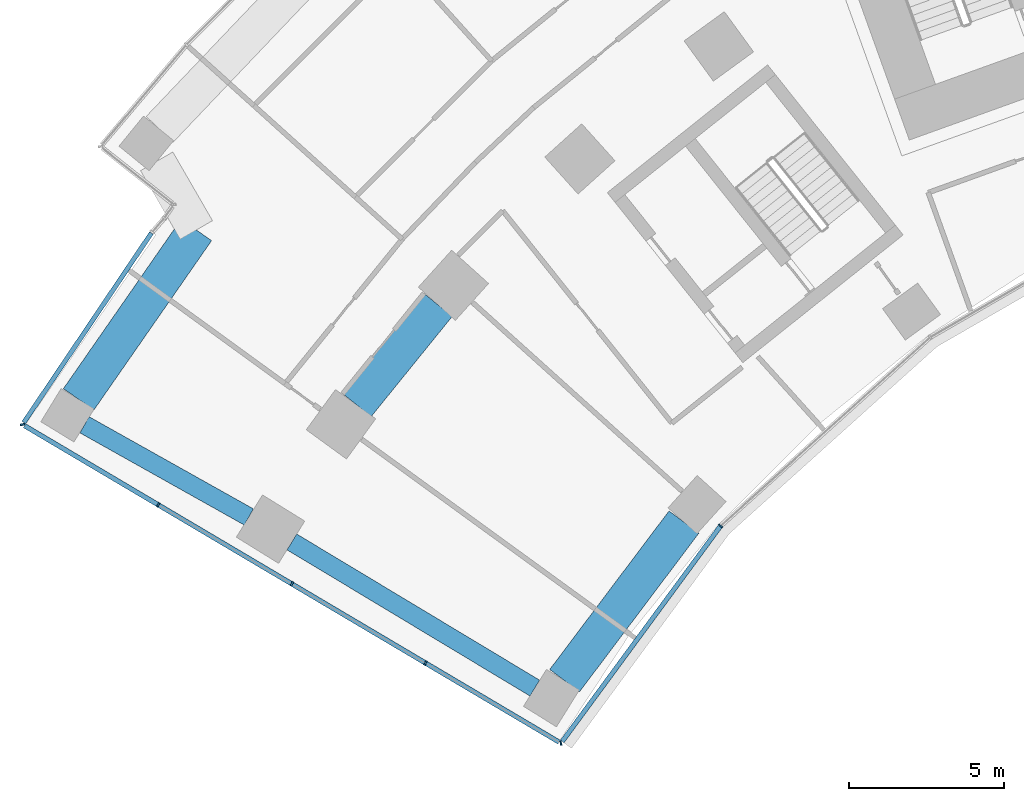
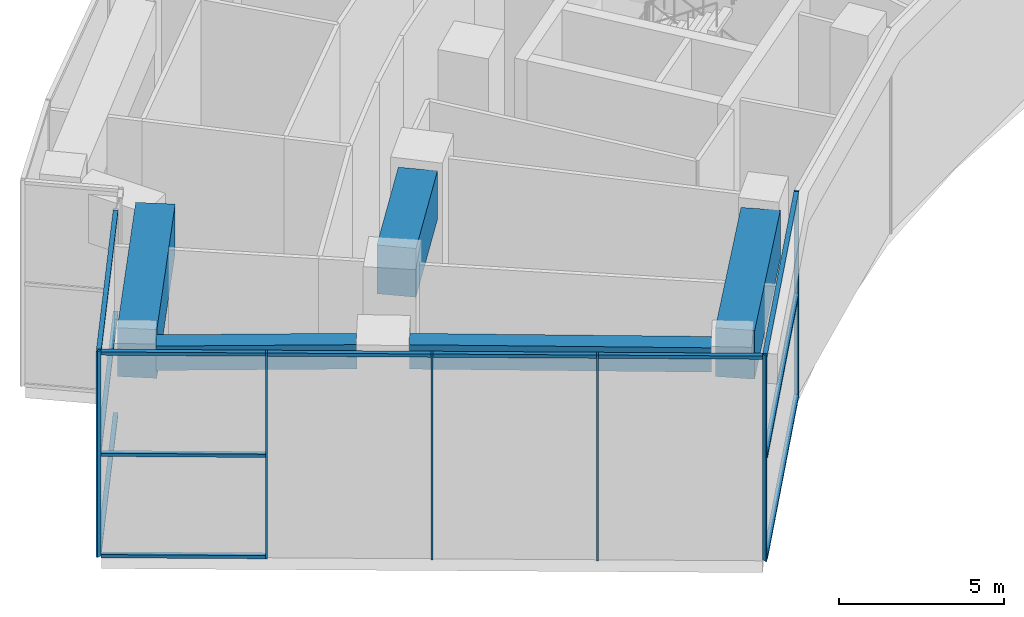
# One storey, part 2 of 33: 18 members, 5 beams, 3 elements without a shape of their own.
"""IFC4 building model written with IfcOpenShell, lengths in metres."""

import ifcopenshell
import ifcopenshell.guid

model = None  # the IFC model being written
_history = None  # IfcOwnerHistory: only IFC2X3 demands one
_inside = {}  # id of a spatial element -> (the spatial element, [elements in it])
_under = {}  # id of a project, library or spatial element -> (it, [spatial elements below it])
_declared = {}  # id of a project -> (the project, [libraries it declares])
_typed = {}  # id of a type object -> (the type object, [elements of that type])
_made_of = {}  # id of a material, layer set ... -> (it, [elements and type objects made of it])


def new_model(schema):
    """Start an empty IFC model of exactly this schema.

    Asked for "IFC4X3", IfcOpenShell would pick the latest addendum, in which some entities
    have other attributes; the version numbers below select the first issue.
    IFC2X3 requires an IfcOwnerHistory on every rooted entity: one is made here for all.
    """
    global model, _history
    if schema == "IFC4X3":
        model = ifcopenshell.file(schema_version=(4, 3, 0, 0))
    else:
        model = ifcopenshell.file(schema=schema)
    _inside.clear()
    _under.clear()
    _declared.clear()
    _typed.clear()
    _made_of.clear()
    _history = None
    if model.schema == "IFC2X3":
        org = make("IfcOrganization", Name="unknown")
        user = make(
            "IfcPersonAndOrganization",
            ThePerson=make("IfcPerson", FamilyName="unknown"),
            TheOrganization=org,
        )
        app = make(
            "IfcApplication",
            ApplicationDeveloper=org,
            Version="unknown",
            ApplicationFullName="unknown",
            ApplicationIdentifier="unknown",
        )
        _history = make(
            "IfcOwnerHistory",
            OwningUser=user,
            OwningApplication=app,
            ChangeAction="ADDED",
            CreationDate=0,
        )
    return model


def make(cls, **values):
    """One entity of the class cls with the attributes given. An attribute that is None is left unset."""
    return model.create_entity(
        cls, **{name: value for name, value in values.items() if value is not None}
    )


def rooted(cls, **values):
    """An entity with a GlobalId (a new one), such as an element, a storey or a relation."""
    return make(cls, GlobalId=ifcopenshell.guid.new(), OwnerHistory=_history, **values)


def si_unit(unit_type, name, prefix=None):
    """IfcSIUnit, for example si_unit("LENGTHUNIT", "METRE", prefix="MILLI")."""
    return make("IfcSIUnit", UnitType=unit_type, Prefix=prefix, Name=name)


def assignment(units):
    """IfcUnitAssignment: the units of a project."""
    return None if units is None else make("IfcUnitAssignment", Units=units)


def point(xyz):
    """IfcCartesianPoint."""
    return None if xyz is None else make("IfcCartesianPoint", Coordinates=xyz)


def direction(xyz):
    """IfcDirection."""
    return None if xyz is None else make("IfcDirection", DirectionRatios=xyz)


def frame(location, z_axis=None, x_axis=None):
    """IfcAxis2Placement3D, a coordinate frame: its origin and axes. An axis left out is left unset."""
    return make(
        "IfcAxis2Placement3D",
        Location=point(location),
        Axis=direction(z_axis),
        RefDirection=direction(x_axis),
    )


def frame_2d(location, x_axis=None):
    """IfcAxis2Placement2D, a coordinate frame in the plane: its origin and x axis."""
    return make(
        "IfcAxis2Placement2D", Location=point(location), RefDirection=direction(x_axis)
    )


def origin():
    """The frame at (0, 0, 0) with its axes left unset."""
    return frame((0.0, 0.0, 0.0))


def origin_2d():
    """The frame at (0, 0) in the plane with its x axis left unset."""
    return frame_2d((0.0, 0.0))


def place(relative_to, where):
    """IfcLocalPlacement: puts the frame where relative to a parent placement (None: the world)."""
    return make(
        "IfcLocalPlacement", PlacementRelTo=relative_to, RelativePlacement=where
    )


def context(
    kind, dimensions, precision=None, world=None, true_north=None, identifier=None
):
    """IfcGeometricRepresentationContext, for example the 3D "Model" context."""
    return make(
        "IfcGeometricRepresentationContext",
        ContextIdentifier=identifier,
        ContextType=kind,
        CoordinateSpaceDimension=dimensions,
        Precision=precision,
        WorldCoordinateSystem=world,
        TrueNorth=true_north,
    )


def subcontext(parent, identifier, kind, view, scale=None):
    """IfcGeometricRepresentationSubContext, for example "Body" below "Model"."""
    return make(
        "IfcGeometricRepresentationSubContext",
        ContextIdentifier=identifier,
        ContextType=kind,
        ParentContext=parent,
        TargetScale=scale,
        TargetView=view,
    )


def project(units=None, contexts=None):
    """IfcProject with its units and contexts."""
    return rooted(
        "IfcProject",
        Name="project",
        RepresentationContexts=contexts,
        UnitsInContext=assignment(units),
    )


def spatial(cls, under=None, at=None, **own):
    """A site, building, storey or space (cls), placed at a placement, below another one or the project."""
    s = rooted(cls, ObjectPlacement=at, **own)
    if under is not None:
        _under.setdefault(under.id(), (under, []))[1].append(s)
    return s


def profile(cls, at=None, kind="AREA", **sizes):
    """A parametric profile (cls). Its sizes go by their IFC names, for example OverallWidth=200.0."""
    return make(cls, ProfileType=kind, Position=at, **sizes)


def rectangle(**sizes):
    """IfcRectangleProfileDef."""
    return profile("IfcRectangleProfileDef", **sizes)


def extrude(swept, where, along, depth):
    """IfcExtrudedAreaSolid: the profile swept, set in the frame where, extruded along a direction by depth."""
    return make(
        "IfcExtrudedAreaSolid",
        SweptArea=swept,
        Position=where,
        ExtrudedDirection=direction(along),
        Depth=depth,
    )


def shape(context_of_items, identifier, shape_type, items):
    """IfcShapeRepresentation: the items that make up one representation, for example the "Body"."""
    return make(
        "IfcShapeRepresentation",
        ContextOfItems=context_of_items,
        RepresentationIdentifier=identifier,
        RepresentationType=shape_type,
        Items=items,
    )


def material(Name=None, Category=None):
    """IfcMaterial."""
    return make("IfcMaterial", Name=Name, Category=Category)


def layer(
    of_material, thickness, ventilated=None, Name=None, Category=None, Priority=None
):
    """IfcMaterialLayer: one layer of a wall or slab, of a material (None: an air gap)."""
    return make(
        "IfcMaterialLayer",
        Material=of_material,
        LayerThickness=thickness,
        IsVentilated=ventilated,
        Name=Name,
        Category=Category,
        Priority=Priority,
    )


def layer_set(layers, Name=None):
    """IfcMaterialLayerSet."""
    return make("IfcMaterialLayerSet", MaterialLayers=layers, LayerSetName=Name)


def material_profile(
    of_material, cross_section, Name=None, Category=None, Priority=None
):
    """IfcMaterialProfile: a cross section and its material."""
    return make(
        "IfcMaterialProfile",
        Name=Name,
        Material=of_material,
        Profile=cross_section,
        Priority=Priority,
        Category=Category,
    )


def profile_set(profiles, Name=None, composite=None):
    """IfcMaterialProfileSet."""
    return make(
        "IfcMaterialProfileSet",
        Name=Name,
        MaterialProfiles=profiles,
        CompositeProfile=composite,
    )


def made_of(thing, what):
    """Note that an element or type object is made of a material, layer set ...; save() writes the relation."""
    if what is not None:
        _made_of.setdefault(what.id(), (what, []))[1].append(thing)
    return thing


def type_object(cls, material=None, **own):
    """A type object (cls), such as IfcWallType, which elements share."""
    return made_of(rooted(cls, **own), material)


def element(
    cls,
    number,
    at=None,
    inside=None,
    cuts=None,
    type_object=None,
    material=None,
    context=None,
    identifier="Body",
    shape_type=None,
    held_by="IfcProductDefinitionShape",
    body=None,
    shapes=None,
    **own,
):
    """One element of the class cls, such as IfcWall. Its Tag is "e" and its number.

    at: its placement. inside: the storey or other place that contains it. cuts: it is an
    opening in that element (IfcRelVoidsElement). A single representation is given by context,
    identifier, shape_type and body (its items); several are given by shapes. held_by: the class
    of the entity that holds the representations. save() writes the other relations.
    """
    e = rooted(cls, Tag="e%d" % number, ObjectPlacement=at, **own)
    if body is not None:
        shapes = [shape(context, identifier, shape_type, body)]
    if shapes is not None:
        e.Representation = make(held_by, Representations=shapes)
    if inside is not None:
        _inside.setdefault(inside.id(), (inside, []))[1].append(e)
    if cuts is not None:
        rooted(
            "IfcRelVoidsElement", RelatingBuildingElement=cuts, RelatedOpeningElement=e
        )
    if type_object is not None:
        _typed.setdefault(type_object.id(), (type_object, []))[1].append(e)
    return made_of(e, material)


def aggregate(whole, parts):
    """IfcRelAggregates: a whole, such as a stair, and the parts it consists of."""
    return rooted("IfcRelAggregates", RelatingObject=whole, RelatedObjects=parts)


def save(model, path):
    """Write the relations noted so far, then the file.

    IfcRelAggregates (storeys below a building ...), IfcRelContainedInSpatialStructure (elements
    in a storey), IfcRelDefinesByType, IfcRelAssociatesMaterial and IfcRelDeclares: one each for
    every whole, place, type object, material and project.
    """
    for whole, parts in _under.values():
        aggregate(whole, parts)
    for where, things in _inside.values():
        rooted(
            "IfcRelContainedInSpatialStructure",
            RelatedElements=things,
            RelatingStructure=where,
        )
    for kind, things in _typed.values():
        rooted("IfcRelDefinesByType", RelatedObjects=things, RelatingType=kind)
    for what, things in _made_of.values():
        rooted("IfcRelAssociatesMaterial", RelatedObjects=things, RelatingMaterial=what)
    for by, libraries in _declared.values():
        rooted("IfcRelDeclares", RelatingContext=by, RelatedDefinitions=libraries)
    model.write(path)


model = new_model("IFC4")

# Units and contexts
model_context = context("Model", 3, precision=1e-05, world=origin(), true_north=direction((0.0, 1.0)))
body_context = subcontext(model_context, "Body", "Model", "MODEL_VIEW")
ifc_project = project(units=[si_unit("LENGTHUNIT", "METRE"), si_unit("AREAUNIT", "SQUARE_METRE"), si_unit("VOLUMEUNIT", "CUBIC_METRE"), si_unit("PLANEANGLEUNIT", "RADIAN"), si_unit("MASSUNIT", "GRAM", prefix="KILO")], contexts=[model_context])

# Site, building, storey
site_placement = place(None, origin())
site = spatial("IfcSite", under=ifc_project, at=site_placement, CompositionType="ELEMENT")
building_placement = place(site_placement, origin())
building = spatial("IfcBuilding", under=site, at=building_placement, Name="Stone Belt Terrace Tower", CompositionType="ELEMENT")
storey_placement = place(building_placement, frame((0.0, 0.0, 79.39990234375)))
storey = spatial("IfcBuildingStorey", under=building, at=storey_placement, Name="L19", CompositionType="ELEMENT", Elevation=79.39990234375)

# Curtain wall, members
ifc_material_1 = material(Name="Aluminium 6063-T6 anodised frame", Category="aluminium")
ifc_layer_1 = layer(ifc_material_1, 0.14990234375)
ifc_layer_set_1 = layer_set([ifc_layer_1], Name="CW-B unitised concave-face curtain wall")
curtain_wall_type_1 = type_object("IfcCurtainWallType", Name="CW-B unitised concave-face curtain wall", PredefinedType="NOTDEFINED", material=ifc_layer_set_1)
curtain_wall_1_placement = place(storey_placement, origin())
curtain_wall_1 = element("IfcCurtainWall", 1, at=curtain_wall_1_placement, inside=storey, type_object=curtain_wall_type_1, Name="CW-B concave face L19", PredefinedType="NOTDEFINED")
ifc_material_profile_1 = material_profile(ifc_material_1, rectangle(XDim=0.14990234375, YDim=0.050048828125, at=origin_2d()), Name="Aluminium 6063-T6 50x150")
ifc_profile_set_1 = profile_set([ifc_material_profile_1], Name="Aluminium 6063-T6 anodised frame")
member_type_1 = type_object("IfcMemberType", Name="CW-B mullion 50 x 150", PredefinedType="MULLION", material=ifc_profile_set_1)
member_1_placement = place(storey_placement, frame((-37.4140625, 22.0576171875, 0.0), z_axis=(0.0, 0.0, 1.0), x_axis=(-0.199957039009, 0.979804665508, 0.0)))
member_1 = element("IfcMember", 2, at=member_1_placement, type_object=member_type_1, Name="CW-B mullion 1", PredefinedType="MULLION", context=body_context, shape_type="SweptSolid", body=[
    extrude(rectangle(XDim=0.14990234375, YDim=0.050048828125, at=origin_2d()), origin(), (0.0, 0.0, 1.0), 7.60009765625),
])
member_2_placement = place(storey_placement, frame((-32.27099609375, 29.056640625, 0.0), z_axis=(0.0, 0.0, 1.0), x_axis=(-0.741329775891, 0.671140941515, 0.0)))
member_2 = element("IfcMember", 3, at=member_2_placement, type_object=member_type_1, Name="CW-B mullion 2", PredefinedType="MULLION", context=body_context, shape_type="SweptSolid", body=[
    extrude(rectangle(XDim=0.14990234375, YDim=0.050048828125, at=origin_2d()), origin(), (0.0, 0.0, 1.0), 7.60009765625),
])
ifc_material_profile_2 = material_profile(ifc_material_1, rectangle(XDim=0.14990234375, YDim=0.1201171875, at=origin_2d()), Name="Aluminium 6063-T6 150x120")
ifc_profile_set_2 = profile_set([ifc_material_profile_2], Name="Aluminium 6063-T6 anodised frame")
member_type_2 = type_object("IfcMemberType", Name="CW-B transom 120 x 150", PredefinedType="USERDEFINED", material=ifc_profile_set_2)
member_3_placement = place(storey_placement, frame((-37.373291015625, 22.11328125, 0.06005859375), z_axis=(0.592180847905, 0.805805090189, 0.0), x_axis=(-0.805805090189, 0.592180847905, 0.0)))
member_3 = element("IfcMember", 4, at=member_3_placement, type_object=member_type_2, Name="CW-B transom 1.1", ObjectType="TRANSOM", PredefinedType="USERDEFINED", context=body_context, shape_type="SweptSolid", body=[
    extrude(rectangle(XDim=0.14990234375, YDim=0.1201171875, at=origin_2d()), origin(), (0.0, 0.0, 1.0), 8.583984375),
])
member_4_placement = place(storey_placement, frame((-37.373291015625, 22.11328125, 3.800048828125), z_axis=(0.592180847905, 0.805805090189, 0.0), x_axis=(-0.805805090189, 0.592180847905, 0.0)))
member_4 = element("IfcMember", 5, at=member_4_placement, type_object=member_type_2, Name="CW-B transom 1.2", ObjectType="TRANSOM", PredefinedType="USERDEFINED", context=body_context, shape_type="SweptSolid", body=[
    extrude(rectangle(XDim=0.14990234375, YDim=0.1201171875, at=origin_2d()), origin(), (0.0, 0.0, 1.0), 8.583984375),
])
member_5_placement = place(storey_placement, frame((-37.373291015625, 22.11328125, 7.5400390625), z_axis=(0.592180847905, 0.805805090189, 0.0), x_axis=(-0.805805090189, 0.592180847905, 0.0)))
member_5 = element("IfcMember", 6, at=member_5_placement, type_object=member_type_2, Name="CW-B transom 1.3", ObjectType="TRANSOM", PredefinedType="USERDEFINED", context=body_context, shape_type="SweptSolid", body=[
    extrude(rectangle(XDim=0.14990234375, YDim=0.1201171875, at=origin_2d()), origin(), (0.0, 0.0, 1.0), 8.583984375),
])
aggregate(curtain_wall_1, [member_1, member_2, member_3, member_4, member_5])

ifc_layer_2 = layer(ifc_material_1, 0.14990234375)
ifc_layer_set_2 = layer_set([ifc_layer_2], Name="CW-C stick curtain wall, horn ends and notches")
curtain_wall_type_2 = type_object("IfcCurtainWallType", Name="CW-C stick curtain wall, horn ends and notches", PredefinedType="NOTDEFINED", material=ifc_layer_set_2)
curtain_wall_2_placement = place(storey_placement, origin())
curtain_wall_2 = element("IfcCurtainWall", 7, at=curtain_wall_2_placement, inside=storey, type_object=curtain_wall_type_2, Name="CW-C end face L19", PredefinedType="NOTDEFINED")
ifc_material_profile_3 = material_profile(ifc_material_1, rectangle(XDim=0.14990234375, YDim=0.06005859375, at=origin_2d()), Name="Aluminium 6063-T6 60x150")
ifc_profile_set_3 = profile_set([ifc_material_profile_3], Name="Aluminium 6063-T6 anodised frame")
member_type_3 = type_object("IfcMemberType", Name="CW-C mullion 60 x 150", PredefinedType="MULLION", material=ifc_profile_set_3)
member_6_placement = place(storey_placement, frame((-54.751953125, 32.31982421875, 0.0), z_axis=(0.0, 0.0, 1.0), x_axis=(0.975486649557, 0.22005862068, 0.0)))
member_6 = element("IfcMember", 8, at=member_6_placement, type_object=member_type_3, Name="CW-C mullion 1", PredefinedType="MULLION", context=body_context, shape_type="SweptSolid", body=[
    extrude(rectangle(XDim=0.14990234375, YDim=0.06005859375, at=origin_2d()), origin(), (0.0, 0.0, 1.0), 7.60009765625),
])
member_7_placement = place(storey_placement, frame((-50.380859375, 29.732666015625, 0.0), z_axis=(0.0, 0.0, 1.0), x_axis=(0.509352918793, 0.860557728521, 0.0)))
member_7 = element("IfcMember", 9, at=member_7_placement, type_object=member_type_3, Name="CW-C mullion 2", PredefinedType="MULLION", context=body_context, shape_type="SweptSolid", body=[
    extrude(rectangle(XDim=0.14990234375, YDim=0.06005859375, at=origin_2d()), origin(), (0.0, 0.0, 1.0), 7.60009765625),
])
member_8_placement = place(storey_placement, frame((-46.078125, 27.185791015625, 0.0), z_axis=(0.0, 0.0, 1.0), x_axis=(0.509352918793, 0.860557728521, 0.0)))
member_8 = element("IfcMember", 10, at=member_8_placement, type_object=member_type_3, Name="CW-C mullion 3", PredefinedType="MULLION", context=body_context, shape_type="SweptSolid", body=[
    extrude(rectangle(XDim=0.14990234375, YDim=0.06005859375, at=origin_2d()), origin(), (0.0, 0.0, 1.0), 7.60009765625),
])
member_9_placement = place(storey_placement, frame((-41.775146484375, 24.63916015625, 0.0), z_axis=(0.0, 0.0, 1.0), x_axis=(0.509352918793, 0.860557728521, 0.0)))
member_9 = element("IfcMember", 11, at=member_9_placement, type_object=member_type_3, Name="CW-C mullion 4", PredefinedType="MULLION", context=body_context, shape_type="SweptSolid", body=[
    extrude(rectangle(XDim=0.14990234375, YDim=0.06005859375, at=origin_2d()), origin(), (0.0, 0.0, 1.0), 7.60009765625),
])

curtain_wall_3_placement = place(storey_placement, origin())
curtain_wall_3 = element("IfcCurtainWall", 12, at=curtain_wall_3_placement, inside=storey, type_object=curtain_wall_type_2, Name="CW-C notch face L19", PredefinedType="NOTDEFINED")
ifc_material_profile_4 = material_profile(ifc_material_1, rectangle(XDim=0.14990234375, YDim=0.1201171875, at=origin_2d()), Name="Aluminium 6063-T6 150x120")
ifc_profile_set_4 = profile_set([ifc_material_profile_4], Name="Aluminium 6063-T6 anodised frame")
member_type_4 = type_object("IfcMemberType", Name="CW-C transom 120 x 150", PredefinedType="USERDEFINED", material=ifc_profile_set_4)
member_10_placement = place(storey_placement, frame((-50.599609375, 38.486572265625, 0.06005859375), z_axis=(-0.558522127524, -0.829489622036, 0.0), x_axis=(0.829489622036, -0.558522127524, 0.0)))
member_10 = element("IfcMember", 13, at=member_10_placement, type_object=member_type_4, Name="CW-C transom 1.1", ObjectType="TRANSOM", PredefinedType="USERDEFINED", context=body_context, shape_type="SweptSolid", body=[
    extrude(rectangle(XDim=0.14990234375, YDim=0.1201171875, at=origin_2d()), origin(), (0.0, 0.0, 1.0), 7.359375),
])
member_11_placement = place(storey_placement, frame((-50.599609375, 38.486572265625, 3.800048828125), z_axis=(-0.558522127524, -0.829489622036, 0.0), x_axis=(0.829489622036, -0.558522127524, 0.0)))
member_11 = element("IfcMember", 14, at=member_11_placement, type_object=member_type_4, Name="CW-C transom 1.2", ObjectType="TRANSOM", PredefinedType="USERDEFINED", context=body_context, shape_type="SweptSolid", body=[
    extrude(rectangle(XDim=0.14990234375, YDim=0.1201171875, at=origin_2d()), origin(), (0.0, 0.0, 1.0), 7.359375),
])
member_12_placement = place(storey_placement, frame((-50.599609375, 38.486572265625, 7.5400390625), z_axis=(-0.558522127524, -0.829489622036, 0.0), x_axis=(0.829489622036, -0.558522127524, 0.0)))
member_12 = element("IfcMember", 15, at=member_12_placement, type_object=member_type_4, Name="CW-C transom 1.3", ObjectType="TRANSOM", PredefinedType="USERDEFINED", context=body_context, shape_type="SweptSolid", body=[
    extrude(rectangle(XDim=0.14990234375, YDim=0.1201171875, at=origin_2d()), origin(), (0.0, 0.0, 1.0), 7.359375),
])
aggregate(curtain_wall_3, [member_10, member_11, member_12])

# Member
member_13_placement = place(storey_placement, frame((-54.687255859375, 32.281494140625, 0.06005859375), z_axis=(0.860548143884, -0.509369111802, 0.0), x_axis=(0.509369111802, 0.860548143884, 0.0)))
member_13 = element("IfcMember", 16, at=member_13_placement, type_object=member_type_4, Name="CW-C transom 1.1", ObjectType="TRANSOM", PredefinedType="USERDEFINED", context=body_context, shape_type="SweptSolid", body=[
    extrude(rectangle(XDim=0.14990234375, YDim=0.1201171875, at=origin_2d()), origin(), (0.0, 0.0, 1.0), 4.97412109375),
])

member_14_placement = place(storey_placement, frame((-54.687255859375, 32.281494140625, 3.800048828125), z_axis=(0.860548143884, -0.509369111802, 0.0), x_axis=(0.509369111802, 0.860548143884, 0.0)))
member_14 = element("IfcMember", 17, at=member_14_placement, type_object=member_type_4, Name="CW-C transom 1.2", ObjectType="TRANSOM", PredefinedType="USERDEFINED", context=body_context, shape_type="SweptSolid", body=[
    extrude(rectangle(XDim=0.14990234375, YDim=0.1201171875, at=origin_2d()), origin(), (0.0, 0.0, 1.0), 4.97412109375),
])

member_15_placement = place(storey_placement, frame((-54.687255859375, 32.281494140625, 7.5400390625), z_axis=(0.860548143884, -0.509369111802, 0.0), x_axis=(0.509369111802, 0.860548143884, 0.0)))
member_15 = element("IfcMember", 18, at=member_15_placement, type_object=member_type_4, Name="CW-C transom 1.3", ObjectType="TRANSOM", PredefinedType="USERDEFINED", context=body_context, shape_type="SweptSolid", body=[
    extrude(rectangle(XDim=0.14990234375, YDim=0.1201171875, at=origin_2d()), origin(), (0.0, 0.0, 1.0), 4.97412109375),
])

member_16_placement = place(storey_placement, frame((-50.35498046875, 29.71728515625, 7.5400390625), z_axis=(0.860569167434, -0.50933359212, 0.0), x_axis=(0.50933359212, 0.860569167434, 0.0)))
member_16 = element("IfcMember", 19, at=member_16_placement, type_object=member_type_4, Name="CW-C transom 2.1", ObjectType="TRANSOM", PredefinedType="USERDEFINED", context=body_context, shape_type="SweptSolid", body=[
    extrude(rectangle(XDim=0.14990234375, YDim=0.1201171875, at=origin_2d()), origin(), (0.0, 0.0, 1.0), 4.93994140625),
])

member_17_placement = place(storey_placement, frame((-46.05224609375, 27.170654296875, 7.5400390625), z_axis=(0.860547505115, -0.509370190962, 0.0), x_axis=(0.509370190962, 0.860547505115, 0.0)))
member_17 = element("IfcMember", 20, at=member_17_placement, type_object=member_type_4, Name="CW-C transom 3.1", ObjectType="TRANSOM", PredefinedType="USERDEFINED", context=body_context, shape_type="SweptSolid", body=[
    extrude(rectangle(XDim=0.14990234375, YDim=0.1201171875, at=origin_2d()), origin(), (0.0, 0.0, 1.0), 4.940185546875),
])

member_18_placement = place(storey_placement, frame((-41.74951171875, 24.623779296875, 7.5400390625), z_axis=(0.860562168261, -0.509345417725, 0.0), x_axis=(0.509345417725, 0.860562168261, 0.0)))
member_18 = element("IfcMember", 21, at=member_18_placement, type_object=member_type_4, Name="CW-C transom 4.1", ObjectType="TRANSOM", PredefinedType="USERDEFINED", context=body_context, shape_type="SweptSolid", body=[
    extrude(rectangle(XDim=0.14990234375, YDim=0.1201171875, at=origin_2d()), origin(), (0.0, 0.0, 1.0), 4.96533203125),
])

aggregate(curtain_wall_2, [member_6, member_7, member_8, member_9, member_13, member_14, member_15, member_16, member_17, member_18])

# Beams
ifc_material_2 = material(Name="Concrete B60", Category="concrete")
ifc_material_profile_5 = material_profile(ifc_material_2, rectangle(XDim=0.60009765625, YDim=0.89990234375, at=origin_2d()), Name="RC 600x900")
ifc_profile_set_5 = profile_set([ifc_material_profile_5], Name="Concrete B60")
beam_type_1 = type_object("IfcBeamType", Name="Edge beam RC 600x900 B60", PredefinedType="SPANDREL", material=ifc_profile_set_5)
beam_1_placement = place(storey_placement, frame((-38.253662109375, 23.83203125, 6.830078125), z_axis=(-0.856900189152, 0.51548236229, 0.0), x_axis=(-0.51548236229, -0.856900189152, 0.0)))
element("IfcBeam", 22, at=beam_1_placement, inside=storey, type_object=beam_type_1, Name="Edge beam L19 A P to Q", PredefinedType="SPANDREL", context=body_context, shape_type="SweptSolid", body=[
    extrude(rectangle(XDim=0.60009765625, YDim=0.89990234375, at=origin_2d()), origin(), (0.0, 0.0, 1.0), 9.130859375),
])
beam_2_placement = place(storey_placement, frame((-47.4619140625, 29.3427734375, 6.830078125), z_axis=(-0.872212947991, 0.489126336806, 0.0), x_axis=(-0.489126336806, -0.872212947991, 0.0)))
element("IfcBeam", 23, at=beam_2_placement, inside=storey, type_object=beam_type_1, Name="Edge beam L19 A Q to R", PredefinedType="SPANDREL", context=body_context, shape_type="SweptSolid", body=[
    extrude(rectangle(XDim=0.60009765625, YDim=0.89990234375, at=origin_2d()), origin(), (0.0, 0.0, 1.0), 6.069091796875),
])
ifc_material_3 = material(Name="Concrete B80", Category="concrete")
ifc_material_profile_6 = material_profile(ifc_material_3, rectangle(XDim=1.199951171875, YDim=1.800048828125, at=origin_2d()), Name="RC 1200x1800")
ifc_profile_set_6 = profile_set([ifc_material_profile_6], Name="Concrete B80")
beam_type_2 = type_object("IfcBeamType", Name="Transfer girder RC 1200x1800 B80", PredefinedType="BEAM", material=ifc_profile_set_6)
beam_3_placement = place(storey_placement, frame((-37.29541015625, 24.0712890625, 6.380126953125), z_axis=(0.60137420711, 0.798967498102, 0.0), x_axis=(-0.798967498102, 0.60137420711, 0.0)))
element("IfcBeam", 24, at=beam_3_placement, inside=storey, type_object=beam_type_2, Name="Transfer beam L19 PPA-P14", PredefinedType="BEAM", context=body_context, shape_type="SweptSolid", body=[
    extrude(rectangle(XDim=1.199951171875, YDim=1.800048828125, at=origin_2d()), origin(), (0.0, 0.0, 1.0), 6.3916015625),
])
beam_4_placement = place(storey_placement, frame((-43.99169921875, 32.95068359375, 6.380126953125), z_axis=(0.629277674246, 0.777180550899, 0.0), x_axis=(-0.777180550899, 0.629277674246, 0.0)))
element("IfcBeam", 25, at=beam_4_placement, inside=storey, type_object=beam_type_2, Name="Transfer beam L19 QQ13-Q14", PredefinedType="BEAM", context=body_context, shape_type="SweptSolid", body=[
    extrude(rectangle(XDim=1.199951171875, YDim=1.800048828125, at=origin_2d()), origin(), (0.0, 0.0, 1.0), 4.15478515625),
])
beam_5_placement = place(storey_placement, frame((-52.943603515625, 33.131103515625, 6.380126953125), z_axis=(0.570680985434, 0.821171853429, 0.0), x_axis=(-0.821171853429, 0.570680985434, 0.0)))
element("IfcBeam", 26, at=beam_5_placement, inside=storey, type_object=beam_type_2, Name="Transfer beam L19 RRA-RA", PredefinedType="BEAM", context=body_context, shape_type="SweptSolid", body=[
    extrude(rectangle(XDim=1.199951171875, YDim=1.800048828125, at=origin_2d()), origin(), (0.0, 0.0, 1.0), 6.641357421875),
])

save(model, "model.ifc")
